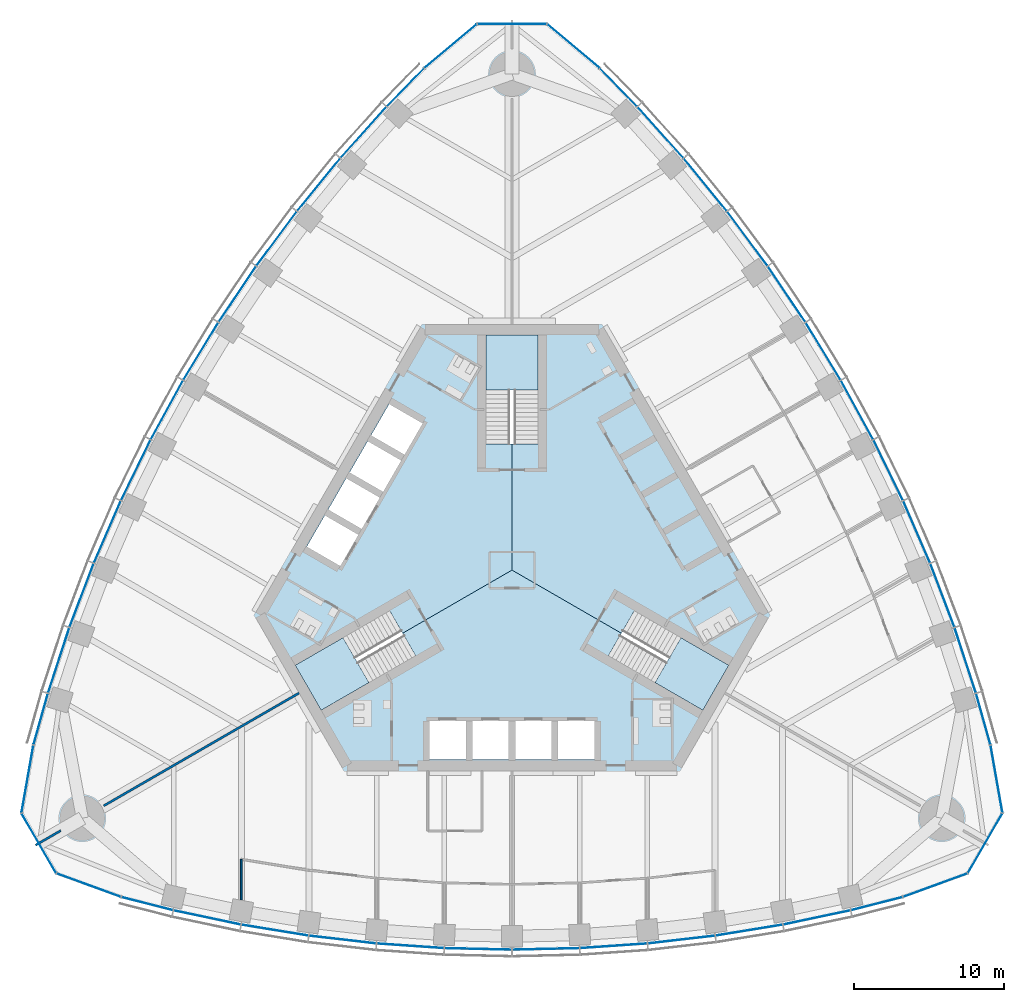
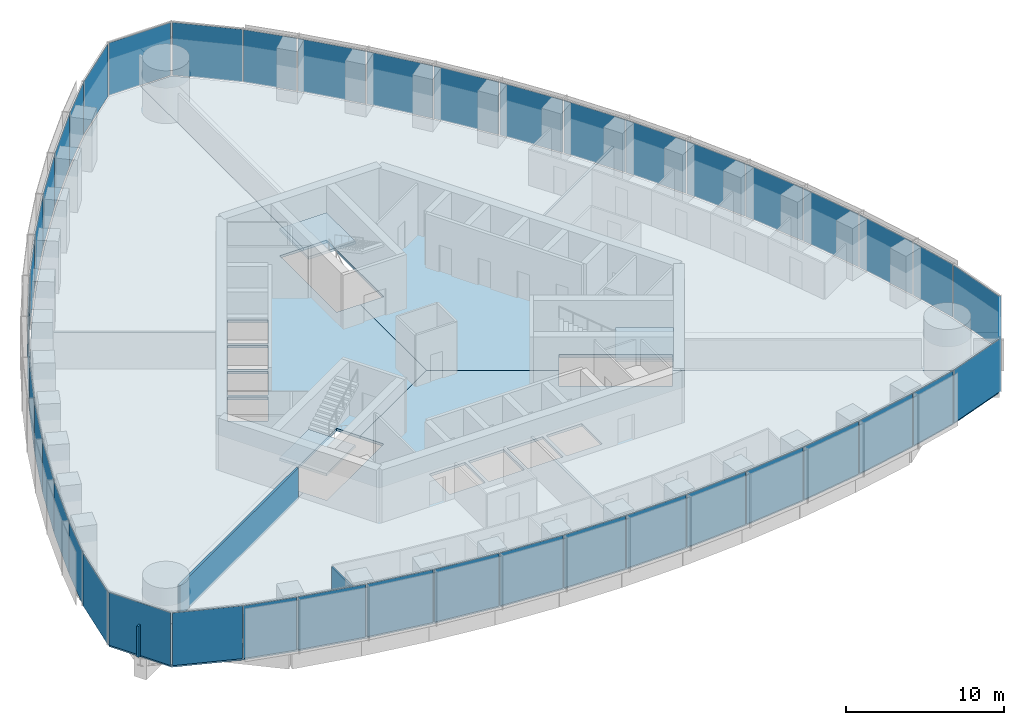
# One storey, part 10 of 18: 45 plates, 6 slabs, 3 walls, 9 elements without a shape of their own.
"""IFC4 building model written with IfcOpenShell, lengths in metres."""

from ifc_helpers import new_model, si_unit, direction, frame, frame_2d, origin, origin_2d, place, context, subcontext, project, spatial, polyline, rectangle, outline, extrude, material, layer, layer_set, type_object, element, aggregate, save


model = new_model("IFC4")

# Units and contexts
model_context = context("Model", 3, precision=1e-05, world=origin(), true_north=direction((0.0, 1.0)))
body_context = subcontext(model_context, "Body", "Model", "MODEL_VIEW")
ifc_project = project(units=[si_unit("LENGTHUNIT", "METRE"), si_unit("AREAUNIT", "SQUARE_METRE"), si_unit("VOLUMEUNIT", "CUBIC_METRE"), si_unit("PLANEANGLEUNIT", "RADIAN"), si_unit("MASSUNIT", "GRAM", prefix="KILO")], contexts=[model_context])

# Site, building, storey
site_placement = place(None, origin())
site = spatial("IfcSite", under=ifc_project, at=site_placement, CompositionType="ELEMENT")
building_placement = place(site_placement, origin())
building = spatial("IfcBuilding", under=site, at=building_placement, Name="Trefoil Bronze Tower", CompositionType="ELEMENT")
storey_placement = place(building_placement, frame((0.0, 0.0, 252.699951171875)))
storey = spatial("IfcBuildingStorey", under=building, at=storey_placement, Name="L58", CompositionType="ELEMENT", Elevation=252.699951171875)

# Curtain wall, plates
ifc_material_1 = material(Name="Tinted solar-control glass", Category="glass")
curtain_wall_type_1 = type_object("IfcCurtainWallType", Name="Bronze office curtain wall", PredefinedType="USERDEFINED", material=ifc_material_1)
curtain_wall_1_placement = place(storey_placement, origin())
curtain_wall_1 = element("IfcCurtainWall", 1, at=curtain_wall_1_placement, inside=storey, type_object=curtain_wall_type_1, Name="CW-A L58 F1", ObjectType="CURTAIN WALL", PredefinedType="USERDEFINED")
ifc_material_2 = material(Name="Tinted solar-control glass", Category="glass")
ifc_layer_1 = layer(ifc_material_2, 0.030029296875)
ifc_layer_set_1 = layer_set([ifc_layer_1], Name="Bronze office curtain wall glass panel")
plate_type_1 = type_object("IfcPlateType", Name="Bronze office curtain wall glass panel", PredefinedType="CURTAIN_PANEL", material=ifc_layer_set_1)
plate_1_placement = place(storey_placement, frame((-24.251220703125, -22.188232421875, 0.0), z_axis=(0.0, 0.0, 1.0), x_axis=(0.968934035393, -0.247319297786, 0.0)))
plate_1 = element("IfcPlate", 2, at=plate_1_placement, type_object=plate_type_1, Name="CW-A L58 F1 panel 1", PredefinedType="CURTAIN_PANEL", context=body_context, shape_type="SweptSolid", body=[
    extrude(rectangle(XDim=3.483642578125, YDim=0.030029296875, at=origin_2d()), origin(), (0.0, 0.0, 1.0), 4.080078125),
])
plate_2_placement = place(storey_placement, frame((-20.270751953125, -23.105224609375, 0.0), z_axis=(0.0, 0.0, 1.0), x_axis=(0.978394335897, -0.20674748725, 0.0)))
plate_2 = element("IfcPlate", 3, at=plate_2_placement, type_object=plate_type_1, Name="CW-A L58 F1 panel 2", PredefinedType="CURTAIN_PANEL", context=body_context, shape_type="SweptSolid", body=[
    extrude(rectangle(XDim=4.519287109375, YDim=0.030029296875, at=origin_2d()), origin(), (0.0, 0.0, 1.0), 4.080078125),
])
plate_3_placement = place(storey_placement, frame((-15.76611328125, -23.9482421875, 0.0), z_axis=(0.0, 0.0, 1.0), x_axis=(0.986986549528, -0.160802832848, 0.0)))
plate_3 = element("IfcPlate", 4, at=plate_3_placement, type_object=plate_type_1, Name="CW-A L58 F1 panel 3", PredefinedType="CURTAIN_PANEL", context=body_context, shape_type="SweptSolid", body=[
    extrude(rectangle(XDim=4.479248046875, YDim=0.030029296875, at=origin_2d()), origin(), (0.0, 0.0, 1.0), 4.080078125),
])
plate_4_placement = place(storey_placement, frame((-11.261474609375, -24.57568359375, 0.0), z_axis=(0.0, 0.0, 1.0), x_axis=(0.993381831741, -0.114858767043, 0.0)))
plate_4 = element("IfcPlate", 5, at=plate_4_placement, type_object=plate_type_1, Name="CW-A L58 F1 panel 4", PredefinedType="CURTAIN_PANEL", context=body_context, shape_type="SweptSolid", body=[
    extrude(rectangle(XDim=4.449951171875, YDim=0.030029296875, at=origin_2d()), origin(), (0.0, 0.0, 1.0), 4.080078125),
])
plate_5_placement = place(storey_placement, frame((-6.7568359375, -24.991455078125, 0.0), z_axis=(0.0, 0.0, 1.0), x_axis=(0.99762252804, -0.068915103905, 0.0)))
plate_5 = element("IfcPlate", 6, at=plate_5_placement, type_object=plate_type_1, Name="CW-A L58 F1 panel 5", PredefinedType="CURTAIN_PANEL", context=body_context, shape_type="SweptSolid", body=[
    extrude(rectangle(XDim=4.4306640625, YDim=0.030029296875, at=origin_2d()), origin(), (0.0, 0.0, 1.0), 4.080078125),
])
plate_6_placement = place(storey_placement, frame((-2.252197265625, -25.198974609375, 0.0), z_axis=(0.0, 0.0, 1.0), x_axis=(0.999736116243, -0.022971675577, 0.0)))
plate_6 = element("IfcPlate", 7, at=plate_6_placement, type_object=plate_type_1, Name="CW-A L58 F1 panel 6", PredefinedType="CURTAIN_PANEL", context=body_context, shape_type="SweptSolid", body=[
    extrude(rectangle(XDim=4.421142578125, YDim=0.030029296875, at=origin_2d()), origin(), (0.0, 0.0, 1.0), 4.080078125),
])
plate_7_placement = place(storey_placement, frame((2.252197265625, -25.198974609375, 0.0), z_axis=(0.0, 0.0, 1.0), x_axis=(0.999736116243, 0.022971675577, 0.0)))
plate_7 = element("IfcPlate", 8, at=plate_7_placement, type_object=plate_type_1, Name="CW-A L58 F1 panel 7", PredefinedType="CURTAIN_PANEL", context=body_context, shape_type="SweptSolid", body=[
    extrude(rectangle(XDim=4.421142578125, YDim=0.030029296875, at=origin_2d()), origin(), (0.0, 0.0, 1.0), 4.080078125),
])
plate_8_placement = place(storey_placement, frame((6.7568359375, -24.991455078125, 0.0), z_axis=(0.0, 0.0, 1.0), x_axis=(0.99762252804, 0.068915103905, 0.0)))
plate_8 = element("IfcPlate", 9, at=plate_8_placement, type_object=plate_type_1, Name="CW-A L58 F1 panel 8", PredefinedType="CURTAIN_PANEL", context=body_context, shape_type="SweptSolid", body=[
    extrude(rectangle(XDim=4.4306640625, YDim=0.030029296875, at=origin_2d()), origin(), (0.0, 0.0, 1.0), 4.080078125),
])
plate_9_placement = place(storey_placement, frame((11.261474609375, -24.57568359375, 0.0), z_axis=(0.0, 0.0, 1.0), x_axis=(0.993381831741, 0.114858767043, 0.0)))
plate_9 = element("IfcPlate", 10, at=plate_9_placement, type_object=plate_type_1, Name="CW-A L58 F1 panel 9", PredefinedType="CURTAIN_PANEL", context=body_context, shape_type="SweptSolid", body=[
    extrude(rectangle(XDim=4.449951171875, YDim=0.030029296875, at=origin_2d()), origin(), (0.0, 0.0, 1.0), 4.080078125),
])
plate_10_placement = place(storey_placement, frame((15.76611328125, -23.9482421875, 0.0), z_axis=(0.0, 0.0, 1.0), x_axis=(0.986986549528, 0.160802832848, 0.0)))
plate_10 = element("IfcPlate", 11, at=plate_10_placement, type_object=plate_type_1, Name="CW-A L58 F1 panel 10", PredefinedType="CURTAIN_PANEL", context=body_context, shape_type="SweptSolid", body=[
    extrude(rectangle(XDim=4.479248046875, YDim=0.030029296875, at=origin_2d()), origin(), (0.0, 0.0, 1.0), 4.080078125),
])
plate_11_placement = place(storey_placement, frame((20.270751953125, -23.105224609375, 0.0), z_axis=(0.0, 0.0, 1.0), x_axis=(0.978394335897, 0.20674748725, 0.0)))
plate_11 = element("IfcPlate", 12, at=plate_11_placement, type_object=plate_type_1, Name="CW-A L58 F1 panel 11", PredefinedType="CURTAIN_PANEL", context=body_context, shape_type="SweptSolid", body=[
    extrude(rectangle(XDim=4.519287109375, YDim=0.030029296875, at=origin_2d()), origin(), (0.0, 0.0, 1.0), 4.080078125),
])
plate_12_placement = place(storey_placement, frame((24.251220703125, -22.188232421875, 0.0), z_axis=(0.0, 0.0, 1.0), x_axis=(0.968934035393, 0.247319297786, 0.0)))
plate_12 = element("IfcPlate", 13, at=plate_12_placement, type_object=plate_type_1, Name="CW-A L58 F1 panel 12", PredefinedType="CURTAIN_PANEL", context=body_context, shape_type="SweptSolid", body=[
    extrude(rectangle(XDim=3.483642578125, YDim=0.030029296875, at=origin_2d()), origin(), (0.0, 0.0, 1.0), 4.080078125),
])
aggregate(curtain_wall_1, [plate_1, plate_2, plate_3, plate_4, plate_5, plate_6, plate_7, plate_8, plate_9, plate_10, plate_11, plate_12])

curtain_wall_2_placement = place(storey_placement, origin())
curtain_wall_2 = element("IfcCurtainWall", 14, at=curtain_wall_2_placement, inside=storey, type_object=curtain_wall_type_1, Name="CW-A L58 F2", ObjectType="CURTAIN WALL", PredefinedType="USERDEFINED")
plate_13_placement = place(storey_placement, frame((31.341064453125, -9.907958984375, 0.0), z_axis=(0.0, 0.0, 1.0), x_axis=(-0.270282222968, 0.962781138134, 0.0)))
plate_13 = element("IfcPlate", 15, at=plate_13_placement, type_object=plate_type_1, Name="CW-A L58 F2 panel 1", PredefinedType="CURTAIN_PANEL", context=body_context, shape_type="SweptSolid", body=[
    extrude(rectangle(XDim=3.483642578125, YDim=0.030029296875, at=origin_2d()), origin(), (0.0, 0.0, 1.0), 4.080078125),
])
plate_14_placement = place(storey_placement, frame((30.14501953125, -6.002197265625, 0.0), z_axis=(0.0, 0.0, 1.0), x_axis=(-0.310148591821, 0.950688093431, 0.0)))
plate_14 = element("IfcPlate", 16, at=plate_14_placement, type_object=plate_type_1, Name="CW-A L58 F2 panel 2", PredefinedType="CURTAIN_PANEL", context=body_context, shape_type="SweptSolid", body=[
    extrude(rectangle(XDim=4.519287109375, YDim=0.030029296875, at=origin_2d()), origin(), (0.0, 0.0, 1.0), 4.080078125),
])
plate_15_placement = place(storey_placement, frame((28.622802734375, -1.6796875, 0.0), z_axis=(0.0, 0.0, 1.0), x_axis=(-0.354233936517, 0.935156841508, 0.0)))
plate_15 = element("IfcPlate", 17, at=plate_15_placement, type_object=plate_type_1, Name="CW-A L58 F2 panel 3", PredefinedType="CURTAIN_PANEL", context=body_context, shape_type="SweptSolid", body=[
    extrude(rectangle(XDim=4.479248046875, YDim=0.030029296875, at=origin_2d()), origin(), (0.0, 0.0, 1.0), 4.080078125),
])
plate_16_placement = place(storey_placement, frame((26.913818359375, 2.53515625, 0.0), z_axis=(0.0, 0.0, 1.0), x_axis=(-0.397220305764, 0.917723285467, 0.0)))
plate_16 = element("IfcPlate", 18, at=plate_16_placement, type_object=plate_type_1, Name="CW-A L58 F2 panel 4", PredefinedType="CURTAIN_PANEL", context=body_context, shape_type="SweptSolid", body=[
    extrude(rectangle(XDim=4.449951171875, YDim=0.030029296875, at=origin_2d()), origin(), (0.0, 0.0, 1.0), 4.080078125),
])
plate_17_placement = place(storey_placement, frame((25.021728515625, 6.64404296875, 0.0), z_axis=(0.0, 0.0, 1.0), x_axis=(-0.439129033334, 0.898424004623, 0.0)))
plate_17 = element("IfcPlate", 19, at=plate_17_placement, type_object=plate_type_1, Name="CW-A L58 F2 panel 5", PredefinedType="CURTAIN_PANEL", context=body_context, shape_type="SweptSolid", body=[
    extrude(rectangle(XDim=4.4306640625, YDim=0.030029296875, at=origin_2d()), origin(), (0.0, 0.0, 1.0), 4.080078125),
])
plate_18_placement = place(storey_placement, frame((22.948974609375, 10.64892578125, 0.0), z_axis=(0.0, 0.0, 1.0), x_axis=(-0.479974003504, 0.877282711536, 0.0)))
plate_18 = element("IfcPlate", 20, at=plate_18_placement, type_object=plate_type_1, Name="CW-A L58 F2 panel 6", PredefinedType="CURTAIN_PANEL", context=body_context, shape_type="SweptSolid", body=[
    extrude(rectangle(XDim=4.421142578125, YDim=0.030029296875, at=origin_2d()), origin(), (0.0, 0.0, 1.0), 4.080078125),
])
plate_19_placement = place(storey_placement, frame((20.69677734375, 14.550048828125, 0.0), z_axis=(0.0, 0.0, 1.0), x_axis=(-0.519762112739, 0.854311035959, 0.0)))
plate_19 = element("IfcPlate", 21, at=plate_19_placement, type_object=plate_type_1, Name="CW-A L58 F2 panel 7", PredefinedType="CURTAIN_PANEL", context=body_context, shape_type="SweptSolid", body=[
    extrude(rectangle(XDim=4.421142578125, YDim=0.030029296875, at=origin_2d()), origin(), (0.0, 0.0, 1.0), 4.080078125),
])
plate_20_placement = place(storey_placement, frame((18.264892578125, 18.347412109375, 0.0), z_axis=(0.0, 0.0, 1.0), x_axis=(-0.558493494706, 0.829508900718, 0.0)))
plate_20 = element("IfcPlate", 22, at=plate_20_placement, type_object=plate_type_1, Name="CW-A L58 F2 panel 8", PredefinedType="CURTAIN_PANEL", context=body_context, shape_type="SweptSolid", body=[
    extrude(rectangle(XDim=4.4306640625, YDim=0.030029296875, at=origin_2d()), origin(), (0.0, 0.0, 1.0), 4.080078125),
])
plate_21_placement = place(storey_placement, frame((15.65234375, 22.04052734375, 0.0), z_axis=(0.0, 0.0, 1.0), x_axis=(-0.596161525977, 0.802864518425, 0.0)))
plate_21 = element("IfcPlate", 23, at=plate_21_placement, type_object=plate_type_1, Name="CW-A L58 F2 panel 9", PredefinedType="CURTAIN_PANEL", context=body_context, shape_type="SweptSolid", body=[
    extrude(rectangle(XDim=4.449951171875, YDim=0.030029296875, at=origin_2d()), origin(), (0.0, 0.0, 1.0), 4.080078125),
])
plate_22_placement = place(storey_placement, frame((12.856689453125, 25.6279296875, 0.0), z_axis=(0.0, 0.0, 1.0), x_axis=(-0.63275261301, 0.774354008661, 0.0)))
plate_22 = element("IfcPlate", 24, at=plate_22_placement, type_object=plate_type_1, Name="CW-A L58 F2 panel 10", PredefinedType="CURTAIN_PANEL", context=body_context, shape_type="SweptSolid", body=[
    extrude(rectangle(XDim=4.479248046875, YDim=0.030029296875, at=origin_2d()), origin(), (0.0, 0.0, 1.0), 4.080078125),
])
plate_23_placement = place(storey_placement, frame((9.87451171875, 29.107666015625, 0.0), z_axis=(0.0, 0.0, 1.0), x_axis=(-0.668245744076, 0.743940606181, 0.0)))
plate_23 = element("IfcPlate", 25, at=plate_23_placement, type_object=plate_type_1, Name="CW-A L58 F2 panel 11", PredefinedType="CURTAIN_PANEL", context=body_context, shape_type="SweptSolid", body=[
    extrude(rectangle(XDim=4.519287109375, YDim=0.030029296875, at=origin_2d()), origin(), (0.0, 0.0, 1.0), 4.080078125),
])
plate_24_placement = place(storey_placement, frame((7.08984375, 32.09619140625, 0.0), z_axis=(0.0, 0.0, 1.0), x_axis=(-0.698651812425, 0.715461840349, 0.0)))
plate_24 = element("IfcPlate", 26, at=plate_24_placement, type_object=plate_type_1, Name="CW-A L58 F2 panel 12", PredefinedType="CURTAIN_PANEL", context=body_context, shape_type="SweptSolid", body=[
    extrude(rectangle(XDim=3.483642578125, YDim=0.030029296875, at=origin_2d()), origin(), (0.0, 0.0, 1.0), 4.080078125),
])
aggregate(curtain_wall_2, [plate_13, plate_14, plate_15, plate_16, plate_17, plate_18, plate_19, plate_20, plate_21, plate_22, plate_23, plate_24])

curtain_wall_3_placement = place(storey_placement, origin())
curtain_wall_3 = element("IfcCurtainWall", 27, at=curtain_wall_3_placement, inside=storey, type_object=curtain_wall_type_1, Name="CW-A L58 F3", ObjectType="CURTAIN WALL", PredefinedType="USERDEFINED")
plate_25_placement = place(storey_placement, frame((-7.08984375, 32.09619140625, 0.0), z_axis=(0.0, 0.0, 1.0), x_axis=(-0.698651812425, -0.715461840349, 0.0)))
plate_25 = element("IfcPlate", 28, at=plate_25_placement, type_object=plate_type_1, Name="CW-A L58 F3 panel 1", PredefinedType="CURTAIN_PANEL", context=body_context, shape_type="SweptSolid", body=[
    extrude(rectangle(XDim=3.483642578125, YDim=0.030029296875, at=origin_2d()), origin(), (0.0, 0.0, 1.0), 4.080078125),
])
plate_26_placement = place(storey_placement, frame((-9.87451171875, 29.107666015625, 0.0), z_axis=(0.0, 0.0, 1.0), x_axis=(-0.668245744076, -0.743940606181, 0.0)))
plate_26 = element("IfcPlate", 29, at=plate_26_placement, type_object=plate_type_1, Name="CW-A L58 F3 panel 2", PredefinedType="CURTAIN_PANEL", context=body_context, shape_type="SweptSolid", body=[
    extrude(rectangle(XDim=4.519287109375, YDim=0.030029296875, at=origin_2d()), origin(), (0.0, 0.0, 1.0), 4.080078125),
])
plate_27_placement = place(storey_placement, frame((-12.856689453125, 25.6279296875, 0.0), z_axis=(0.0, 0.0, 1.0), x_axis=(-0.63275261301, -0.774354008661, 0.0)))
plate_27 = element("IfcPlate", 30, at=plate_27_placement, type_object=plate_type_1, Name="CW-A L58 F3 panel 3", PredefinedType="CURTAIN_PANEL", context=body_context, shape_type="SweptSolid", body=[
    extrude(rectangle(XDim=4.479248046875, YDim=0.030029296875, at=origin_2d()), origin(), (0.0, 0.0, 1.0), 4.080078125),
])
plate_28_placement = place(storey_placement, frame((-15.65234375, 22.04052734375, 0.0), z_axis=(0.0, 0.0, 1.0), x_axis=(-0.596161525977, -0.802864518425, 0.0)))
plate_28 = element("IfcPlate", 31, at=plate_28_placement, type_object=plate_type_1, Name="CW-A L58 F3 panel 4", PredefinedType="CURTAIN_PANEL", context=body_context, shape_type="SweptSolid", body=[
    extrude(rectangle(XDim=4.449951171875, YDim=0.030029296875, at=origin_2d()), origin(), (0.0, 0.0, 1.0), 4.080078125),
])
plate_29_placement = place(storey_placement, frame((-18.264892578125, 18.347412109375, 0.0), z_axis=(0.0, 0.0, 1.0), x_axis=(-0.558493494706, -0.829508900718, 0.0)))
plate_29 = element("IfcPlate", 32, at=plate_29_placement, type_object=plate_type_1, Name="CW-A L58 F3 panel 5", PredefinedType="CURTAIN_PANEL", context=body_context, shape_type="SweptSolid", body=[
    extrude(rectangle(XDim=4.4306640625, YDim=0.030029296875, at=origin_2d()), origin(), (0.0, 0.0, 1.0), 4.080078125),
])
plate_30_placement = place(storey_placement, frame((-20.69677734375, 14.550048828125, 0.0), z_axis=(0.0, 0.0, 1.0), x_axis=(-0.519762112739, -0.854311035959, 0.0)))
plate_30 = element("IfcPlate", 33, at=plate_30_placement, type_object=plate_type_1, Name="CW-A L58 F3 panel 6", PredefinedType="CURTAIN_PANEL", context=body_context, shape_type="SweptSolid", body=[
    extrude(rectangle(XDim=4.421142578125, YDim=0.030029296875, at=origin_2d()), origin(), (0.0, 0.0, 1.0), 4.080078125),
])
plate_31_placement = place(storey_placement, frame((-22.948974609375, 10.64892578125, 0.0), z_axis=(0.0, 0.0, 1.0), x_axis=(-0.479974003504, -0.877282711536, 0.0)))
plate_31 = element("IfcPlate", 34, at=plate_31_placement, type_object=plate_type_1, Name="CW-A L58 F3 panel 7", PredefinedType="CURTAIN_PANEL", context=body_context, shape_type="SweptSolid", body=[
    extrude(rectangle(XDim=4.421142578125, YDim=0.030029296875, at=origin_2d()), origin(), (0.0, 0.0, 1.0), 4.080078125),
])
plate_32_placement = place(storey_placement, frame((-25.021728515625, 6.64404296875, 0.0), z_axis=(0.0, 0.0, 1.0), x_axis=(-0.439129033334, -0.898424004623, 0.0)))
plate_32 = element("IfcPlate", 35, at=plate_32_placement, type_object=plate_type_1, Name="CW-A L58 F3 panel 8", PredefinedType="CURTAIN_PANEL", context=body_context, shape_type="SweptSolid", body=[
    extrude(rectangle(XDim=4.4306640625, YDim=0.030029296875, at=origin_2d()), origin(), (0.0, 0.0, 1.0), 4.080078125),
])
plate_33_placement = place(storey_placement, frame((-26.913818359375, 2.53515625, 0.0), z_axis=(0.0, 0.0, 1.0), x_axis=(-0.397220305764, -0.917723285467, 0.0)))
plate_33 = element("IfcPlate", 36, at=plate_33_placement, type_object=plate_type_1, Name="CW-A L58 F3 panel 9", PredefinedType="CURTAIN_PANEL", context=body_context, shape_type="SweptSolid", body=[
    extrude(rectangle(XDim=4.449951171875, YDim=0.030029296875, at=origin_2d()), origin(), (0.0, 0.0, 1.0), 4.080078125),
])
plate_34_placement = place(storey_placement, frame((-28.622802734375, -1.6796875, 0.0), z_axis=(0.0, 0.0, 1.0), x_axis=(-0.354233936517, -0.935156841508, 0.0)))
plate_34 = element("IfcPlate", 37, at=plate_34_placement, type_object=plate_type_1, Name="CW-A L58 F3 panel 10", PredefinedType="CURTAIN_PANEL", context=body_context, shape_type="SweptSolid", body=[
    extrude(rectangle(XDim=4.479248046875, YDim=0.030029296875, at=origin_2d()), origin(), (0.0, 0.0, 1.0), 4.080078125),
])
plate_35_placement = place(storey_placement, frame((-30.14501953125, -6.002197265625, 0.0), z_axis=(0.0, 0.0, 1.0), x_axis=(-0.310148591821, -0.950688093431, 0.0)))
plate_35 = element("IfcPlate", 38, at=plate_35_placement, type_object=plate_type_1, Name="CW-A L58 F3 panel 11", PredefinedType="CURTAIN_PANEL", context=body_context, shape_type="SweptSolid", body=[
    extrude(rectangle(XDim=4.519287109375, YDim=0.030029296875, at=origin_2d()), origin(), (0.0, 0.0, 1.0), 4.080078125),
])
plate_36_placement = place(storey_placement, frame((-31.341064453125, -9.907958984375, 0.0), z_axis=(0.0, 0.0, 1.0), x_axis=(-0.270282222968, -0.962781138134, 0.0)))
plate_36 = element("IfcPlate", 39, at=plate_36_placement, type_object=plate_type_1, Name="CW-A L58 F3 panel 12", PredefinedType="CURTAIN_PANEL", context=body_context, shape_type="SweptSolid", body=[
    extrude(rectangle(XDim=3.483642578125, YDim=0.030029296875, at=origin_2d()), origin(), (0.0, 0.0, 1.0), 4.080078125),
])
aggregate(curtain_wall_3, [plate_25, plate_26, plate_27, plate_28, plate_29, plate_30, plate_31, plate_32, plate_33, plate_34, plate_35, plate_36])

ifc_material_3 = material(Name="Tinted solar-control glass", Category="glass")
curtain_wall_type_2 = type_object("IfcCurtainWallType", Name="Bronze rounded corner curtain wall", PredefinedType="USERDEFINED", material=ifc_material_3)
curtain_wall_4_placement = place(storey_placement, origin())
curtain_wall_4 = element("IfcCurtainWall", 40, at=curtain_wall_4_placement, inside=storey, type_object=curtain_wall_type_2, Name="CW-B L58 K1", ObjectType="CURTAIN WALL", PredefinedType="USERDEFINED")
ifc_material_4 = material(Name="Tinted solar-control glass", Category="glass")
ifc_layer_2 = layer(ifc_material_4, 0.030029296875)
ifc_layer_set_2 = layer_set([ifc_layer_2], Name="Bronze rounded corner curtain wall glass panel")
plate_type_2 = type_object("IfcPlateType", Name="Bronze rounded corner curtain wall glass panel", PredefinedType="CURTAIN_PANEL", material=ifc_layer_set_2)
plate_37_placement = place(storey_placement, frame((28.1298828125, -20.96484375, 0.0), z_axis=(0.0, 0.0, 1.0), x_axis=(0.939692620786, 0.342020143326, 0.0)))
plate_37 = element("IfcPlate", 41, at=plate_37_placement, type_object=plate_type_2, Name="CW-B L58 K1 panel 1", PredefinedType="CURTAIN_PANEL", context=body_context, shape_type="SweptSolid", body=[
    extrude(rectangle(XDim=4.500244140625, YDim=0.030029296875, at=origin_2d()), origin(), (0.0, 0.0, 1.0), 4.080078125),
])
plate_38_placement = place(storey_placement, frame((31.46484375, -18.166259765625, 0.0), z_axis=(0.0, 0.0, 1.0), x_axis=(0.5, 0.866025403784, 0.0)))
plate_38 = element("IfcPlate", 42, at=plate_38_placement, type_object=plate_type_2, Name="CW-B L58 K1 panel 2", PredefinedType="CURTAIN_PANEL", context=body_context, shape_type="SweptSolid", body=[
    extrude(rectangle(XDim=4.500244140625, YDim=0.030029296875, at=origin_2d()), origin(), (0.0, 0.0, 1.0), 4.080078125),
])
plate_39_placement = place(storey_placement, frame((32.220947265625, -13.878662109375, 0.0), z_axis=(0.0, 0.0, 1.0), x_axis=(-0.173648177667, 0.984807753012, 0.0)))
plate_39 = element("IfcPlate", 43, at=plate_39_placement, type_object=plate_type_2, Name="CW-B L58 K1 panel 3", PredefinedType="CURTAIN_PANEL", context=body_context, shape_type="SweptSolid", body=[
    extrude(rectangle(XDim=4.500244140625, YDim=0.030029296875, at=origin_2d()), origin(), (0.0, 0.0, 1.0), 4.080078125),
])
aggregate(curtain_wall_4, [plate_37, plate_38, plate_39])

curtain_wall_5_placement = place(storey_placement, origin())
curtain_wall_5 = element("IfcCurtainWall", 44, at=curtain_wall_5_placement, inside=storey, type_object=curtain_wall_type_2, Name="CW-B L58 K2", ObjectType="CURTAIN WALL", PredefinedType="USERDEFINED")
plate_40_placement = place(storey_placement, frame((4.091064453125, 34.843505859375, 0.0), z_axis=(0.0, 0.0, 1.0), x_axis=(-0.766044443119, 0.642787609687, 0.0)))
plate_40 = element("IfcPlate", 45, at=plate_40_placement, type_object=plate_type_2, Name="CW-B L58 K2 panel 1", PredefinedType="CURTAIN_PANEL", context=body_context, shape_type="SweptSolid", body=[
    extrude(rectangle(XDim=4.500244140625, YDim=0.030029296875, at=origin_2d()), origin(), (0.0, 0.0, 1.0), 4.080078125),
])
plate_41_placement = place(storey_placement, frame((0.0, 36.33251953125, 0.0), z_axis=(0.0, 0.0, 1.0), x_axis=(-1.0, 0.0, 0.0)))
plate_41 = element("IfcPlate", 46, at=plate_41_placement, type_object=plate_type_2, Name="CW-B L58 K2 panel 2", PredefinedType="CURTAIN_PANEL", context=body_context, shape_type="SweptSolid", body=[
    extrude(rectangle(XDim=4.500244140625, YDim=0.030029296875, at=origin_2d()), origin(), (0.0, 0.0, 1.0), 4.080078125),
])
plate_42_placement = place(storey_placement, frame((-4.091064453125, 34.843505859375, 0.0), z_axis=(0.0, 0.0, 1.0), x_axis=(-0.766044443119, -0.642787609687, 0.0)))
plate_42 = element("IfcPlate", 47, at=plate_42_placement, type_object=plate_type_2, Name="CW-B L58 K2 panel 3", PredefinedType="CURTAIN_PANEL", context=body_context, shape_type="SweptSolid", body=[
    extrude(rectangle(XDim=4.500244140625, YDim=0.030029296875, at=origin_2d()), origin(), (0.0, 0.0, 1.0), 4.080078125),
])
aggregate(curtain_wall_5, [plate_40, plate_41, plate_42])

curtain_wall_6_placement = place(storey_placement, origin())
curtain_wall_6 = element("IfcCurtainWall", 48, at=curtain_wall_6_placement, inside=storey, type_object=curtain_wall_type_2, Name="CW-B L58 K3", ObjectType="CURTAIN WALL", PredefinedType="USERDEFINED")
plate_43_placement = place(storey_placement, frame((-32.220947265625, -13.878662109375, 0.0), z_axis=(0.0, 0.0, 1.0), x_axis=(-0.173648177667, -0.984807753012, 0.0)))
plate_43 = element("IfcPlate", 49, at=plate_43_placement, type_object=plate_type_2, Name="CW-B L58 K3 panel 1", PredefinedType="CURTAIN_PANEL", context=body_context, shape_type="SweptSolid", body=[
    extrude(rectangle(XDim=4.500244140625, YDim=0.030029296875, at=origin_2d()), origin(), (0.0, 0.0, 1.0), 4.080078125),
])
plate_44_placement = place(storey_placement, frame((-31.46484375, -18.166259765625, 0.0), z_axis=(0.0, 0.0, 1.0), x_axis=(0.5, -0.866025403784, 0.0)))
plate_44 = element("IfcPlate", 50, at=plate_44_placement, type_object=plate_type_2, Name="CW-B L58 K3 panel 2", PredefinedType="CURTAIN_PANEL", context=body_context, shape_type="SweptSolid", body=[
    extrude(rectangle(XDim=4.500244140625, YDim=0.030029296875, at=origin_2d()), origin(), (0.0, 0.0, 1.0), 4.080078125),
])
plate_45_placement = place(storey_placement, frame((-28.1298828125, -20.96484375, 0.0), z_axis=(0.0, 0.0, 1.0), x_axis=(0.939692620786, -0.342020143326, 0.0)))
plate_45 = element("IfcPlate", 51, at=plate_45_placement, type_object=plate_type_2, Name="CW-B L58 K3 panel 3", PredefinedType="CURTAIN_PANEL", context=body_context, shape_type="SweptSolid", body=[
    extrude(rectangle(XDim=4.500244140625, YDim=0.030029296875, at=origin_2d()), origin(), (0.0, 0.0, 1.0), 4.080078125),
])
aggregate(curtain_wall_6, [plate_43, plate_44, plate_45])

# Slabs
ifc_material_5 = material(Name="Concrete B30", Category="concrete")
ifc_layer_3 = layer(ifc_material_5, 0.199951171875)
ifc_layer_set_3 = layer_set([ifc_layer_3], Name="Floor slab 200")
slab_type_1 = type_object("IfcSlabType", Name="Floor slab 200", PredefinedType="FLOOR", material=ifc_layer_set_3)
slab_1_placement = place(storey_placement, frame((0.0, 0.0, -0.199951171875)))
element("IfcSlab", 52, at=slab_1_placement, inside=storey, type_object=slab_type_1, Name="Floor slab L58 face 1", PredefinedType="FLOOR", context=body_context, shape_type="SweptSolid", body=[
    extrude(outline(polyline([(18.0, -23.48291015625), (13.5, -24.216064453125), (9.0, -24.736328125), (4.5, -25.047119140625), (0.0, -25.150634765625), (-4.5, -25.047119140625), (-9.0, -24.736328125), (-13.5, -24.216064453125), (-18.0, -23.48291015625), (-22.5, -22.531982421875), (-25.952880859375, -21.650634765625), (-30.23828125, -20.0908203125), (-31.37841796875, -18.1162109375), (-13.510009765625, -7.800048828125), (-12.6474609375, -9.2939453125), (-6.412109375, -5.69384765625), (-7.274658203125, -4.199951171875), (0.0, 0.0), (7.274658203125, -4.199951171875), (6.412109375, -5.69384765625), (12.6474609375, -9.2939453125), (13.510009765625, -7.800048828125), (31.37841796875, -18.1162109375), (30.23828125, -20.0908203125), (25.952880859375, -21.650634765625), (22.5, -22.531982421875), (18.0, -23.48291015625)]), holes=[polyline([(-5.574951171875, -10.02490234375), (-2.97509765625, -10.02490234375), (-2.97509765625, -12.60009765625), (-5.574951171875, -12.60009765625), (-5.574951171875, -10.02490234375)]), polyline([(-2.72509765625, -10.02490234375), (-0.125, -10.02490234375), (-0.125, -12.60009765625), (-2.72509765625, -12.60009765625), (-2.72509765625, -10.02490234375)]), polyline([(0.125, -10.02490234375), (2.72509765625, -10.02490234375), (2.72509765625, -12.60009765625), (0.125, -12.60009765625), (0.125, -10.02490234375)]), polyline([(2.97509765625, -10.02490234375), (5.574951171875, -10.02490234375), (5.574951171875, -12.60009765625), (2.97509765625, -12.60009765625), (2.97509765625, -10.02490234375)])]), origin(), (0.0, 0.0, 1.0), 0.199951171875),
])
slab_2_placement = place(storey_placement, frame((0.0, 0.0, -0.199951171875)))
element("IfcSlab", 53, at=slab_2_placement, inside=storey, type_object=slab_type_1, Name="Floor slab L58 face 2", PredefinedType="FLOOR", context=body_context, shape_type="SweptSolid", body=[
    extrude(outline(polyline([(11.3369140625, 27.329833984375), (14.2216796875, 23.79931640625), (16.92236328125, 20.162353515625), (19.441650390625, 16.420654296875), (21.781005859375, 12.575439453125), (23.941650390625, 8.62646484375), (25.92236328125, 4.573974609375), (27.7216796875, 0.416748046875), (29.3369140625, -3.846923828125), (30.76318359375, -8.219482421875), (31.7265625, -11.650634765625), (32.518310546875, -16.1416015625), (31.37841796875, -18.1162109375), (13.510009765625, -7.800048828125), (14.37255859375, -6.30615234375), (8.13720703125, -2.7060546875), (7.274658203125, -4.199951171875), (0.0, 0.0), (0.0, 8.39990234375), (1.72509765625, 8.39990234375), (1.72509765625, 15.60009765625), (0.0, 15.60009765625), (0.0, 36.232666015625), (2.280029296875, 36.232666015625), (5.7734375, 33.30126953125), (8.26318359375, 30.75146484375), (11.3369140625, 27.329833984375)])), origin(), (0.0, 0.0, 1.0), 0.199951171875),
])
slab_3_placement = place(storey_placement, frame((0.0, 0.0, -0.199951171875)))
element("IfcSlab", 54, at=slab_3_placement, inside=storey, type_object=slab_type_1, Name="Floor slab L58 face 3", PredefinedType="FLOOR", context=body_context, shape_type="SweptSolid", body=[
    extrude(outline(polyline([(-29.3369140625, -3.846923828125), (-27.7216796875, 0.416748046875), (-25.92236328125, 4.573974609375), (-23.941650390625, 8.62646484375), (-21.781005859375, 12.575439453125), (-19.441650390625, 16.420654296875), (-16.92236328125, 20.162353515625), (-14.2216796875, 23.79931640625), (-11.3369140625, 27.329833984375), (-8.26318359375, 30.75146484375), (-5.7734375, 33.30126953125), (-2.280029296875, 36.232666015625), (0.0, 36.232666015625), (0.0, 15.60009765625), (-1.72509765625, 15.60009765625), (-1.72509765625, 8.39990234375), (0.0, 8.39990234375), (0.0, 0.0), (-7.274658203125, -4.199951171875), (-8.13720703125, -2.7060546875), (-14.37255859375, -6.30615234375), (-13.510009765625, -7.800048828125), (-31.37841796875, -18.1162109375), (-32.518310546875, -16.1416015625), (-31.7265625, -11.650634765625), (-30.76318359375, -8.219482421875), (-29.3369140625, -3.846923828125)]), holes=[polyline([(-5.894287109375, 9.840576171875), (-7.1943359375, 7.5888671875), (-9.42431640625, 8.87646484375), (-8.12451171875, 11.128173828125), (-5.894287109375, 9.840576171875)]), polyline([(-7.3193359375, 7.372314453125), (-8.619384765625, 5.120849609375), (-10.849365234375, 6.408203125), (-9.54931640625, 8.659912109375), (-7.3193359375, 7.372314453125)]), polyline([(-8.744384765625, 4.904296875), (-10.04443359375, 2.652587890625), (-12.2744140625, 3.940185546875), (-10.974365234375, 6.191650390625), (-8.744384765625, 4.904296875)]), polyline([(-10.16943359375, 2.43603515625), (-11.469482421875, 0.184326171875), (-13.699462890625, 1.471923828125), (-12.3994140625, 3.7236328125), (-10.16943359375, 2.43603515625)])]), origin(), (0.0, 0.0, 1.0), 0.199951171875),
])

# Stair, slab
ifc_material_6 = material(Name="Precast concrete B80", Category="concrete")
stair_type = type_object("IfcStairType", Name="Exit stair 26 risers", PredefinedType="HALF_TURN_STAIR", material=ifc_material_6)
stair_1_placement = place(storey_placement, origin())
stair_1 = element("IfcStair", 55, at=stair_1_placement, inside=storey, type_object=stair_type, Name="Stair ST1 L58", PredefinedType="HALF_TURN_STAIR")
ifc_material_7 = material(Name="Concrete B30", Category="concrete")
ifc_layer_4 = layer(ifc_material_7, 0.199951171875)
ifc_layer_set_4 = layer_set([ifc_layer_4], Name="Stair landing 200")
slab_type_2 = type_object("IfcSlabType", Name="Stair landing 200", PredefinedType="LANDING", material=ifc_layer_set_4)
slab_4_placement = place(storey_placement, frame((0.0, 0.0, 1.900146484375)))
slab_4 = element("IfcSlab", 56, at=slab_4_placement, type_object=slab_type_2, Name="ST1 landing 1", PredefinedType="LANDING", context=body_context, shape_type="SweptSolid", body=[
    extrude(outline(polyline([(9.512451171875, -7.48388671875), (12.69091796875, -9.31884765625), (14.415771484375, -6.3310546875), (11.237548828125, -4.49609375), (9.512451171875, -7.48388671875)])), origin(), (0.0, 0.0, 1.0), 0.199951171875),
])
aggregate(stair_1, [slab_4])

stair_2_placement = place(storey_placement, origin())
stair_2 = element("IfcStair", 57, at=stair_2_placement, inside=storey, type_object=stair_type, Name="Stair ST2 L58", PredefinedType="HALF_TURN_STAIR")
slab_5_placement = place(storey_placement, frame((0.0, 0.0, 1.900146484375)))
slab_5 = element("IfcSlab", 58, at=slab_5_placement, type_object=slab_type_2, Name="ST2 landing 1", PredefinedType="LANDING", context=body_context, shape_type="SweptSolid", body=[
    extrude(outline(polyline([(1.72509765625, 11.97998046875), (1.72509765625, 15.64990234375), (-1.72509765625, 15.64990234375), (-1.72509765625, 11.97998046875), (1.72509765625, 11.97998046875)])), origin(), (0.0, 0.0, 1.0), 0.199951171875),
])
aggregate(stair_2, [slab_5])

stair_3_placement = place(storey_placement, origin())
stair_3 = element("IfcStair", 59, at=stair_3_placement, inside=storey, type_object=stair_type, Name="Stair ST3 L58", PredefinedType="HALF_TURN_STAIR")
slab_6_placement = place(storey_placement, frame((0.0, 0.0, 1.900146484375)))
slab_6 = element("IfcSlab", 60, at=slab_6_placement, type_object=slab_type_2, Name="ST3 landing 1", PredefinedType="LANDING", context=body_context, shape_type="SweptSolid", body=[
    extrude(outline(polyline([(-11.237548828125, -4.49609375), (-14.415771484375, -6.3310546875), (-12.69091796875, -9.31884765625), (-9.512451171875, -7.48388671875), (-11.237548828125, -4.49609375)])), origin(), (0.0, 0.0, 1.0), 0.199951171875),
])
aggregate(stair_3, [slab_6])

# Walls
ifc_material_8 = material(Name="Glazed partition", Category="glass")
ifc_layer_5 = layer(ifc_material_8, 0.1201171875)
ifc_layer_set_5 = layer_set([ifc_layer_5], Name="Glazed partition 120")
wall_type_1 = type_object("IfcWallType", Name="Glazed partition 120", PredefinedType="PARTITIONING", material=ifc_layer_set_5)
wall_1_placement = place(storey_placement, frame((-18.0, -19.23291015625, 0.0), z_axis=(0.0, 0.0, 1.0), x_axis=(0.0, -1.0, 0.0)))
element("IfcWall", 61, at=wall_1_placement, inside=storey, type_object=wall_type_1, Name="Partition F1 L58", PredefinedType="PARTITIONING", context=body_context, shape_type="SweptSolid", body=[
    extrude(rectangle(XDim=2.693603515625, YDim=0.1201171875, at=frame_2d((1.3466796875, 0.0))), origin(), (0.0, 0.0, 1.0), 2.800048828125),
])
ifc_material_9 = material(Name="Gypsum board on steel studs", Category="steel")
ifc_layer_6 = layer(ifc_material_9, 0.14990234375)
ifc_layer_set_6 = layer_set([ifc_layer_6], Name="Party wall 150")
wall_type_2 = type_object("IfcWallType", Name="Party wall 150", PredefinedType="PARTITIONING", material=ifc_layer_set_6)
wall_2_placement = place(storey_placement, frame((-14.159423828125, -8.175048828125, 0.0), z_axis=(0.0, 0.0, 1.0), x_axis=(-0.866027028085, -0.499997186618, 0.0)))
element("IfcWall", 62, at=wall_2_placement, inside=storey, type_object=wall_type_2, Name="Party wall K3 L58", PredefinedType="PARTITIONING", context=body_context, shape_type="SweptSolid", body=[
    extrude(rectangle(XDim=15.0, YDim=0.14990234375, at=frame_2d((7.5, 0.0))), origin(), (0.0, 0.0, 1.0), 2.400146484375),
])
wall_3_placement = place(storey_placement, frame((-30.0078125, -17.324951171875, 0.0), z_axis=(0.0, 0.0, 1.0), x_axis=(-0.866013246922, -0.500021055713, 0.0)))
element("IfcWall", 63, at=wall_3_placement, inside=storey, type_object=wall_type_2, Name="Party wall K3 L58", PredefinedType="PARTITIONING", context=body_context, shape_type="SweptSolid", body=[
    extrude(rectangle(XDim=1.9345703125, YDim=0.14990234375, at=frame_2d((0.96728515625, 0.0))), origin(), (0.0, 0.0, 1.0), 2.400146484375),
])

save(model, "model.ifc")
